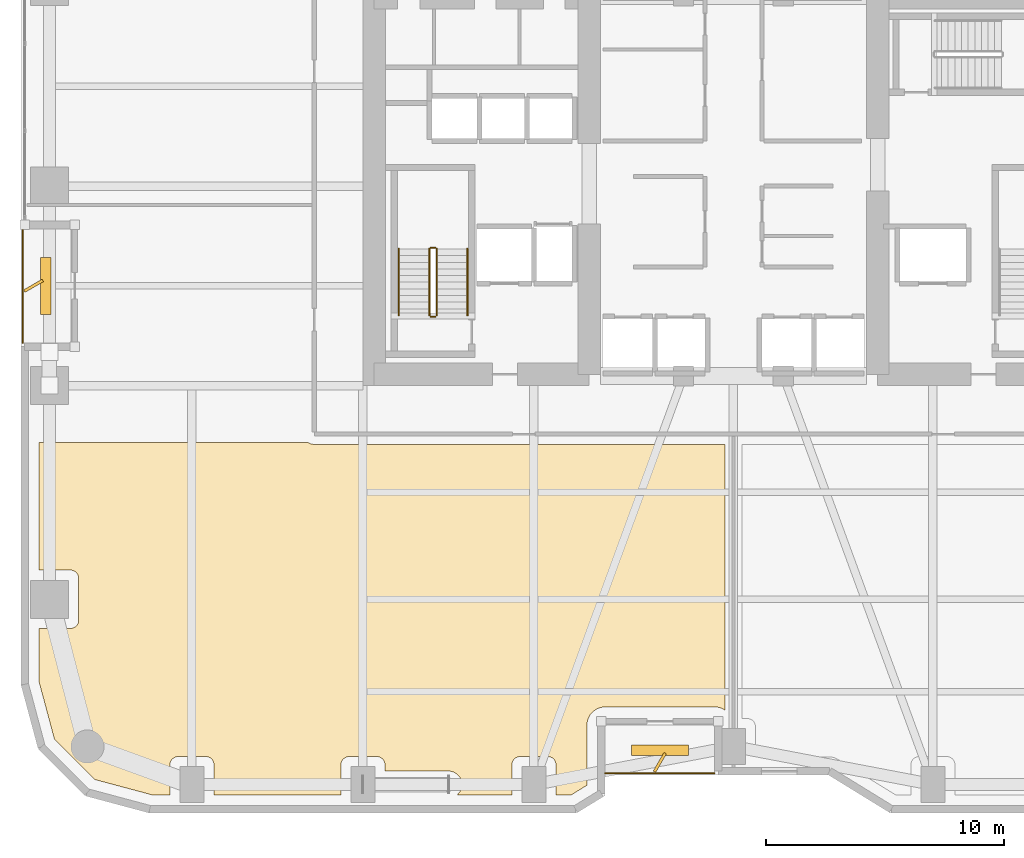
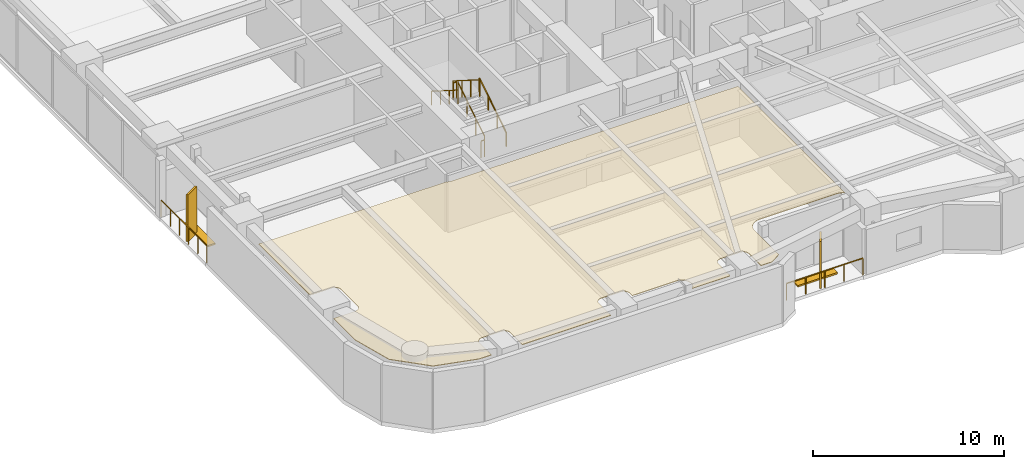
# One storey, part 26 of 29: 8 railings, 4 shading devices, 1 covering.
"""IFC4 building model written with IfcOpenShell, lengths in metres."""

from ifc_helpers import new_model, si_unit, direction, frame, origin, origin_2d, place, context, subcontext, project, spatial, polyline, rectangle, outline, extrude, material, layer, layer_set, type_object, element, save


model = new_model("IFC4")

# Units and contexts
model_context = context("Model", 3, precision=1e-05, world=origin(), true_north=direction((0.0, 1.0)))
body_context = subcontext(model_context, "Body", "Model", "MODEL_VIEW")
ifc_project = project(units=[si_unit("LENGTHUNIT", "METRE"), si_unit("AREAUNIT", "SQUARE_METRE"), si_unit("VOLUMEUNIT", "CUBIC_METRE"), si_unit("PLANEANGLEUNIT", "RADIAN"), si_unit("MASSUNIT", "GRAM", prefix="KILO")], contexts=[model_context])

# Site, building, storey
site_placement = place(None, origin())
site = spatial("IfcSite", under=ifc_project, at=site_placement, CompositionType="ELEMENT")
building_placement = place(site_placement, origin())
building = spatial("IfcBuilding", under=site, at=building_placement, Name="Kiyonajd Concourse Tower", CompositionType="ELEMENT")
storey_placement = place(building_placement, frame((0.0, 0.0, 25.5)))
storey = spatial("IfcBuildingStorey", under=building, at=storey_placement, Name="L07", CompositionType="ELEMENT", Elevation=25.5)

# Covering
ifc_material_1 = material(Name="Natural Oak Acoustic Timber Veneer", Category="wood")
ifc_layer = layer(ifc_material_1, 0.0400390625)
ifc_layer_set = layer_set([ifc_layer], Name="Natural Oak Acoustic Timber Veneer")
covering_type = type_object("IfcCoveringType", Name="CV-CLG-ACST", PredefinedType="CEILING", material=ifc_layer_set)
covering_placement = place(storey_placement, frame((0.0, 0.0, 3.4599609375)))
element("IfcCovering", 1, at=covering_placement, inside=storey, type_object=covering_type, Name="L07-38 Room Acoustic Ceiling", PredefinedType="CEILING", context=body_context, shape_type="SweptSolid", body=[
    extrude(outline(polyline([(30.10205078125, 25.199951171875), (30.156982421875, 25.166015625), (30.219970703125, 25.139892578125), (30.35009765625, 25.1201171875), (47.64990234375, 25.1201171875), (47.64990234375, 13.924072265625), (47.528076171875, 13.99609375), (47.43994140625, 14.031005859375), (47.3330078125, 14.05810546875), (47.240966796875, 14.068115234375), (42.60009765625, 14.070068359375), (42.43310546875, 14.052001953125), (42.321044921875, 14.01708984375), (42.2490234375, 13.985107421875), (42.09912109375, 13.885009765625), (42.014892578125, 13.801025390625), (41.968017578125, 13.739013671875), (41.883056640625, 13.5791015625), (41.85791015625, 13.507080078125), (41.8359375, 13.39208984375), (41.830078125, 10.76904296875), (41.181884765625, 10.3701171875), (40.530029296875, 10.3701171875), (40.530029296875, 11.6298828125), (40.52294921875, 11.697998046875), (40.489013671875, 11.794921875), (40.450927734375, 11.85205078125), (40.402099609375, 11.90087890625), (40.344970703125, 11.93896484375), (40.281982421875, 11.965087890625), (40.179931640625, 11.97998046875), (38.986083984375, 11.97802734375), (38.885986328125, 11.952880859375), (38.825927734375, 11.9208984375), (38.77294921875, 11.876953125), (38.72900390625, 11.823974609375), (38.697021484375, 11.763916015625), (38.672119140625, 11.6640625), (38.669921875, 10.3701171875), (36.3740234375, 10.3701171875), (36.4609375, 10.466064453125), (36.501953125, 10.530029296875), (36.532958984375, 10.59912109375), (36.56396484375, 10.72509765625), (36.570068359375, 10.800048828125), (36.56396484375, 10.875), (36.532958984375, 11.0009765625), (36.501953125, 11.070068359375), (36.4609375, 11.134033203125), (36.362060546875, 11.240966796875), (36.240966796875, 11.31591796875), (36.12890625, 11.35498046875), (36.02197265625, 11.368896484375), (33.330078125, 11.3701171875), (33.327880859375, 11.6640625), (33.31494140625, 11.73193359375), (33.2890625, 11.794921875), (33.22705078125, 11.876953125), (33.14501953125, 11.93896484375), (33.08203125, 11.965087890625), (32.97998046875, 11.97998046875), (31.785888671875, 11.97802734375), (31.718017578125, 11.965087890625), (31.655029296875, 11.93896484375), (31.572998046875, 11.876953125), (31.510986328125, 11.794921875), (31.485107421875, 11.73193359375), (31.471923828125, 11.6640625), (31.469970703125, 10.3701171875), (26.1298828125, 10.3701171875), (26.1298828125, 11.6298828125), (26.123046875, 11.697998046875), (26.089111328125, 11.794921875), (26.051025390625, 11.85205078125), (26.001953125, 11.90087890625), (25.9140625, 11.952880859375), (25.81396484375, 11.97802734375), (24.5859375, 11.97802734375), (24.51806640625, 11.965087890625), (24.455078125, 11.93896484375), (24.373046875, 11.876953125), (24.31103515625, 11.794921875), (24.284912109375, 11.73193359375), (24.27197265625, 11.6640625), (24.27001953125, 10.3701171875), (23.5009765625, 10.3701171875), (21.097900390625, 11.013916015625), (19.4140625, 12.697998046875), (18.77001953125, 15.10107421875), (18.77001953125, 17.3701171875), (20.080078125, 17.3701171875), (20.14794921875, 17.376953125), (20.2451171875, 17.410888671875), (20.302001953125, 17.448974609375), (20.35107421875, 17.498046875), (20.388916015625, 17.554931640625), (20.4150390625, 17.617919921875), (20.429931640625, 17.719970703125), (20.429931640625, 19.47998046875), (20.4150390625, 19.58203125), (20.388916015625, 19.64501953125), (20.35107421875, 19.701904296875), (20.302001953125, 19.7509765625), (20.2451171875, 19.7890625), (20.181884765625, 19.81494140625), (20.114013671875, 19.827880859375), (18.77001953125, 19.830078125), (18.77001953125, 25.199951171875), (30.10205078125, 25.199951171875)])), origin(), (0.0, 0.0, 1.0), 0.0400390625),
])

# Railings
ifc_material_2 = material(Name="Thermally Broken Anodised Aluminium", Category="aluminium")
railing_type_1 = type_object("IfcRailingType", Name="RL-GRD-LOG", PredefinedType="GUARDRAIL", material=ifc_material_2)
railing_1_placement = place(storey_placement, frame((42.60009765625, 11.280029296875, 0.0)))
element("IfcRailing", 2, at=railing_1_placement, inside=storey, type_object=railing_type_1, Name="L07 Engawa Loggia Perimeter Guard LOG-S", PredefinedType="GUARDRAIL", context=body_context, shape_type="SweptSolid", body=[
    extrude(rectangle(XDim=0.048095703125, YDim=0.048095703125, at=origin_2d()), frame((0.0, 0.0, 1.076171875), z_axis=(1.0, 0.0, 0.0), x_axis=(0.0, 1.0, 0.0)), (0.0, 0.0, 1.0), 4.599853515625),
    extrude(rectangle(XDim=0.0419921875, YDim=0.0419921875, at=origin_2d()), origin(), (0.0, 0.0, 1.0), 1.052001953125),
    extrude(rectangle(XDim=0.0419921875, YDim=0.0419921875, at=origin_2d()), frame((1.14990234375, 0.0, 0.0)), (0.0, 0.0, 1.0), 1.052001953125),
    extrude(rectangle(XDim=0.0419921875, YDim=0.0419921875, at=origin_2d()), frame((2.2998046875, 0.0, 0.0)), (0.0, 0.0, 1.0), 1.052001953125),
    extrude(rectangle(XDim=0.0419921875, YDim=0.0419921875, at=origin_2d()), frame((3.449951171875, 0.0, 0.0)), (0.0, 0.0, 1.0), 1.052001953125),
    extrude(rectangle(XDim=0.0419921875, YDim=0.0419921875, at=origin_2d()), frame((4.599853515625, 0.0, 0.0)), (0.0, 0.0, 1.0), 1.052001953125),
])
railing_2_placement = place(storey_placement, frame((18.080078125, 34.199951171875, 0.0)))
element("IfcRailing", 3, at=railing_2_placement, inside=storey, type_object=railing_type_1, Name="L07 Engawa Loggia Perimeter Guard LOG-W", PredefinedType="GUARDRAIL", context=body_context, shape_type="SweptSolid", body=[
    extrude(rectangle(XDim=0.048095703125, YDim=0.048095703125, at=origin_2d()), frame((0.0, 0.0, 1.076171875), z_axis=(0.0, -1.0, 0.0), x_axis=(1.0, 0.0, 0.0)), (0.0, 0.0, 1.0), 4.800048828125),
    extrude(rectangle(XDim=0.0419921875, YDim=0.0419921875, at=origin_2d()), origin(), (0.0, 0.0, 1.0), 1.052001953125),
    extrude(rectangle(XDim=0.0419921875, YDim=0.0419921875, at=origin_2d()), frame((0.0, -0.9599609375, 0.0)), (0.0, 0.0, 1.0), 1.052001953125),
    extrude(rectangle(XDim=0.0419921875, YDim=0.0419921875, at=origin_2d()), frame((0.0, -1.919921875, 0.0)), (0.0, 0.0, 1.0), 1.052001953125),
    extrude(rectangle(XDim=0.0419921875, YDim=0.0419921875, at=origin_2d()), frame((0.0, -2.880126953125, 0.0)), (0.0, 0.0, 1.0), 1.052001953125),
    extrude(rectangle(XDim=0.0419921875, YDim=0.0419921875, at=origin_2d()), frame((0.0, -3.840087890625, 0.0)), (0.0, 0.0, 1.0), 1.052001953125),
    extrude(rectangle(XDim=0.0419921875, YDim=0.0419921875, at=origin_2d()), frame((0.0, -4.800048828125, 0.0)), (0.0, 0.0, 1.0), 1.052001953125),
])
ifc_material_3 = material(Name="Steel ASTM A500 Grade C", Category="steel")
railing_type_2 = type_object("IfcRailingType", Name="RL-GRD-STR", PredefinedType="GUARDRAIL", material=ifc_material_3)
railing_3_placement = place(storey_placement, frame((35.5, 30.550048828125, 0.17724609375)))
element("IfcRailing", 4, at=railing_3_placement, inside=storey, type_object=railing_type_2, Name="L07 ST1 stair guard 1", PredefinedType="GUARDRAIL", context=body_context, shape_type="SweptSolid", body=[
    extrude(rectangle(XDim=0.048095703125, YDim=0.048095703125, at=origin_2d()), frame((0.0, 0.0, 1.076171875), z_axis=(0.0, 0.844908973607, 0.534910110503), x_axis=(-1.0, 0.0, 0.0)), (0.0, 0.0, 1.0), 3.31396484375),
    extrude(rectangle(XDim=0.0419921875, YDim=0.0419921875, at=origin_2d()), origin(), (0.0, 0.0, 1.0), 1.052001953125),
    extrude(rectangle(XDim=0.0419921875, YDim=0.0419921875, at=origin_2d()), frame((0.0, 0.933349609375, 0.5908203125)), (0.0, 0.0, 1.0), 1.052001953125),
    extrude(rectangle(XDim=0.0419921875, YDim=0.0419921875, at=origin_2d()), frame((0.0, 1.86669921875, 1.181884765625)), (0.0, 0.0, 1.0), 1.052001953125),
    extrude(rectangle(XDim=0.0419921875, YDim=0.0419921875, at=origin_2d()), frame((0.0, 2.800048828125, 1.772705078125)), (0.0, 0.0, 1.0), 1.052001953125),
])
railing_4_placement = place(storey_placement, frame((35.449951171875, 33.39990234375, 1.949951171875)))
element("IfcRailing", 5, at=railing_4_placement, inside=storey, type_object=railing_type_2, Name="L07 ST1 stair guard 2", PredefinedType="GUARDRAIL", context=body_context, shape_type="SweptSolid", body=[
    extrude(rectangle(XDim=0.048095703125, YDim=0.048095703125, at=origin_2d()), frame((0.0, 0.0, 1.076171875), z_axis=(-1.0, 0.0, 0.0), x_axis=(0.0, -1.0, 0.0)), (0.0, 0.0, 1.0), 0.199951171875),
    extrude(rectangle(XDim=0.0419921875, YDim=0.0419921875, at=origin_2d()), origin(), (0.0, 0.0, 1.0), 1.052001953125),
    extrude(rectangle(XDim=0.0419921875, YDim=0.0419921875, at=origin_2d()), frame((-0.199951171875, 0.0, 0.0)), (0.0, 0.0, 1.0), 1.052001953125),
])
railing_5_placement = place(storey_placement, frame((35.199951171875, 33.35009765625, 2.127197265625)))
element("IfcRailing", 6, at=railing_5_placement, inside=storey, type_object=railing_type_2, Name="L07 ST1 stair guard 3", PredefinedType="GUARDRAIL", context=body_context, shape_type="SweptSolid", body=[
    extrude(rectangle(XDim=0.048095703125, YDim=0.048095703125, at=origin_2d()), frame((0.0, 0.0, 1.076171875), z_axis=(0.0, -0.844908973607, 0.534910110503), x_axis=(1.0, 0.0, 0.0)), (0.0, 0.0, 1.0), 3.31396484375),
    extrude(rectangle(XDim=0.0419921875, YDim=0.0419921875, at=origin_2d()), origin(), (0.0, 0.0, 1.0), 1.052001953125),
    extrude(rectangle(XDim=0.0419921875, YDim=0.0419921875, at=origin_2d()), frame((0.0, -0.933349609375, 0.5908203125)), (0.0, 0.0, 1.0), 1.052001953125),
    extrude(rectangle(XDim=0.0419921875, YDim=0.0419921875, at=origin_2d()), frame((0.0, -1.86669921875, 1.181884765625)), (0.0, 0.0, 1.0), 1.052001953125),
    extrude(rectangle(XDim=0.0419921875, YDim=0.0419921875, at=origin_2d()), frame((0.0, -2.800048828125, 1.772705078125)), (0.0, 0.0, 1.0), 1.052001953125),
])
railing_6_placement = place(storey_placement, frame((35.449951171875, 30.5, 0.0)))
element("IfcRailing", 7, at=railing_6_placement, inside=storey, type_object=railing_type_2, Name="L07 ST1 stair guard 4", PredefinedType="GUARDRAIL", context=body_context, shape_type="SweptSolid", body=[
    extrude(rectangle(XDim=0.048095703125, YDim=0.048095703125, at=origin_2d()), frame((0.0, 0.0, 1.076171875), z_axis=(-1.0, 0.0, 0.0), x_axis=(0.0, -1.0, 0.0)), (0.0, 0.0, 1.0), 0.199951171875),
    extrude(rectangle(XDim=0.0419921875, YDim=0.0419921875, at=origin_2d()), origin(), (0.0, 0.0, 1.0), 1.052001953125),
    extrude(rectangle(XDim=0.0419921875, YDim=0.0419921875, at=origin_2d()), frame((-0.199951171875, 0.0, 0.0)), (0.0, 0.0, 1.0), 1.052001953125),
])
ifc_material_4 = material(Name="Brushed Stainless Steel Cab Assembly", Category="steel")
railing_type_3 = type_object("IfcRailingType", Name="RL-HND-900", PredefinedType="HANDRAIL", material=ifc_material_4)
railing_7_placement = place(storey_placement, frame((36.800048828125, 30.550048828125, 0.17724609375)))
element("IfcRailing", 8, at=railing_7_placement, inside=storey, type_object=railing_type_3, Name="L07 ST1 stair handrail 1", PredefinedType="HANDRAIL", context=body_context, shape_type="SweptSolid", body=[
    extrude(rectangle(XDim=0.048095703125, YDim=0.048095703125, at=origin_2d()), frame((0.0, 0.0, 0.8759765625), z_axis=(0.0, 0.844908973607, 0.534910110503), x_axis=(-1.0, 0.0, 0.0)), (0.0, 0.0, 1.0), 3.31396484375),
    extrude(rectangle(XDim=0.0419921875, YDim=0.0419921875, at=origin_2d()), origin(), (0.0, 0.0, 1.0), 0.851806640625),
    extrude(rectangle(XDim=0.0419921875, YDim=0.0419921875, at=origin_2d()), frame((0.0, 0.933349609375, 0.5908203125)), (0.0, 0.0, 1.0), 0.851806640625),
    extrude(rectangle(XDim=0.0419921875, YDim=0.0419921875, at=origin_2d()), frame((0.0, 1.86669921875, 1.181884765625)), (0.0, 0.0, 1.0), 0.851806640625),
    extrude(rectangle(XDim=0.0419921875, YDim=0.0419921875, at=origin_2d()), frame((0.0, 2.800048828125, 1.772705078125)), (0.0, 0.0, 1.0), 0.851806640625),
])
railing_8_placement = place(storey_placement, frame((33.89990234375, 33.35009765625, 2.127197265625)))
element("IfcRailing", 9, at=railing_8_placement, inside=storey, type_object=railing_type_3, Name="L07 ST1 stair handrail 2", PredefinedType="HANDRAIL", context=body_context, shape_type="SweptSolid", body=[
    extrude(rectangle(XDim=0.048095703125, YDim=0.048095703125, at=origin_2d()), frame((0.0, 0.0, 0.8759765625), z_axis=(0.0, -0.844908973607, 0.534910110503), x_axis=(1.0, 0.0, 0.0)), (0.0, 0.0, 1.0), 3.31396484375),
    extrude(rectangle(XDim=0.0419921875, YDim=0.0419921875, at=origin_2d()), origin(), (0.0, 0.0, 1.0), 0.851806640625),
    extrude(rectangle(XDim=0.0419921875, YDim=0.0419921875, at=origin_2d()), frame((0.0, -0.933349609375, 0.5908203125)), (0.0, 0.0, 1.0), 0.851806640625),
    extrude(rectangle(XDim=0.0419921875, YDim=0.0419921875, at=origin_2d()), frame((0.0, -1.86669921875, 1.181884765625)), (0.0, 0.0, 1.0), 0.851806640625),
    extrude(rectangle(XDim=0.0419921875, YDim=0.0419921875, at=origin_2d()), frame((0.0, -2.800048828125, 1.772705078125)), (0.0, 0.0, 1.0), 0.851806640625),
])

# Shading devices
ifc_material_5 = material(Name="Precast concrete C50/60", Category="concrete")
shading_device_type_1 = type_object("IfcShadingDeviceType", Name="SH-FIN-900", PredefinedType="USERDEFINED", material=ifc_material_5)
for number, where, z_axis, x_axis, name in (
    (10, (44.89990234375, 11.72998046875, 0.0), (0.0, 0.0, 1.0), (0.5, 0.866025403784, 0.0), "L07 Angled Koshi Solar Fin LOG-S"),
    (11, (18.530029296875, 31.800048828125, 0.0), (0.0, 0.0, 1.0), (0.866025403784, 0.5, 0.0), "L07 Angled Koshi Solar Fin LOG-W"),
):
    element("IfcShadingDevice", number, at=place(storey_placement, frame(where, z_axis=z_axis, x_axis=x_axis)), inside=storey, type_object=shading_device_type_1, Name=name, ObjectType="FIN", PredefinedType="USERDEFINED", context=body_context, shape_type="SweptSolid", body=[
        extrude(rectangle(XDim=0.89990234375, YDim=0.1201171875, at=origin_2d()), origin(), (0.0, 0.0, 1.0), 3.0),
    ])
shading_device_type_2 = type_object("IfcShadingDeviceType", Name="SH-LVR-600", PredefinedType="JALOUSIE", material=ifc_material_2)
for number, where, z_axis, x_axis, name in (
    (12, (44.89990234375, 12.25, 0.0), (0.0, 0.0, 1.0), (1.0, 0.0, 0.0), "L07 Loggia Threshold Louver LOG-S"),
    (13, (19.050048828125, 31.800048828125, 0.0), (0.0, 0.0, 1.0), (0.0, 1.0, 0.0), "L07 Loggia Threshold Louver LOG-W"),
):
    element("IfcShadingDevice", number, at=place(storey_placement, frame(where, z_axis=z_axis, x_axis=x_axis)), inside=storey, type_object=shading_device_type_2, Name=name, PredefinedType="JALOUSIE", context=body_context, shape_type="SweptSolid", body=[
        extrude(rectangle(XDim=2.39990234375, YDim=0.449951171875, at=origin_2d()), origin(), (0.0, 0.0, 1.0), 0.10009765625),
    ])

save(model, "model.ifc")
